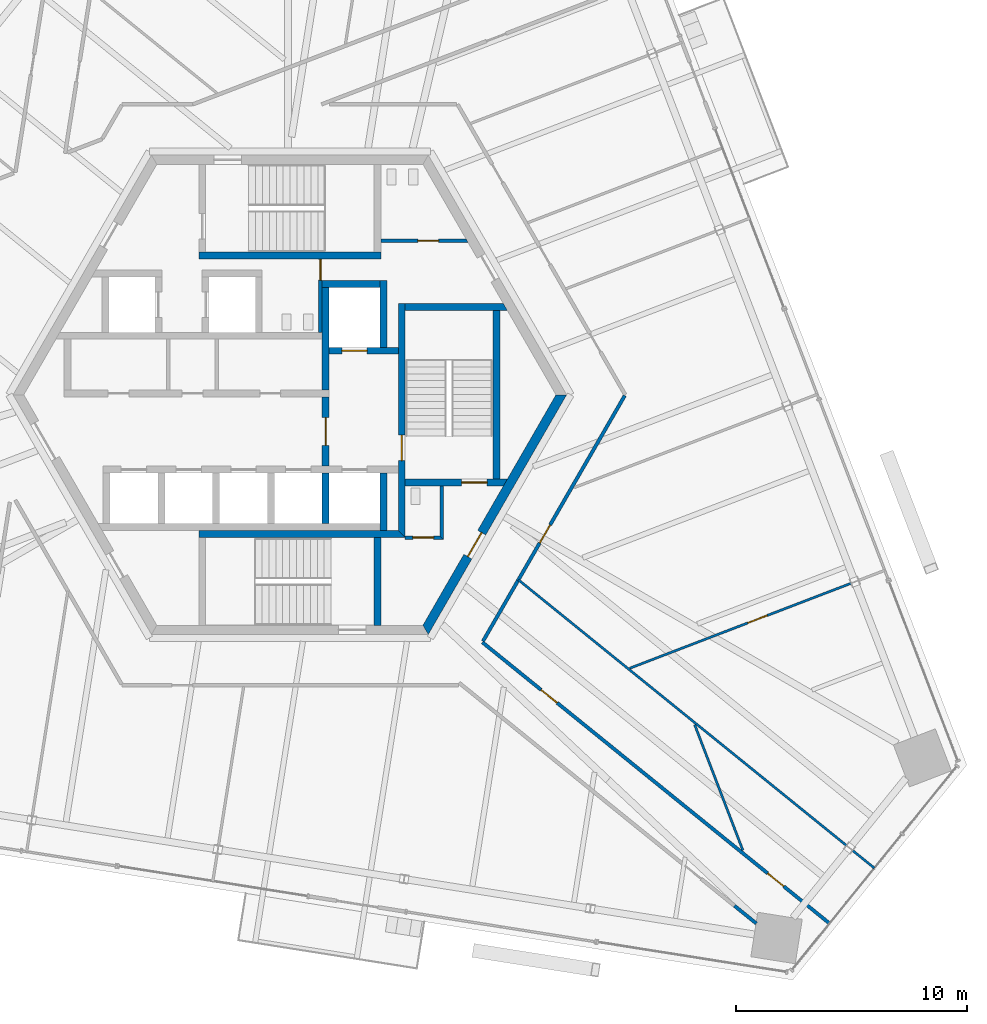
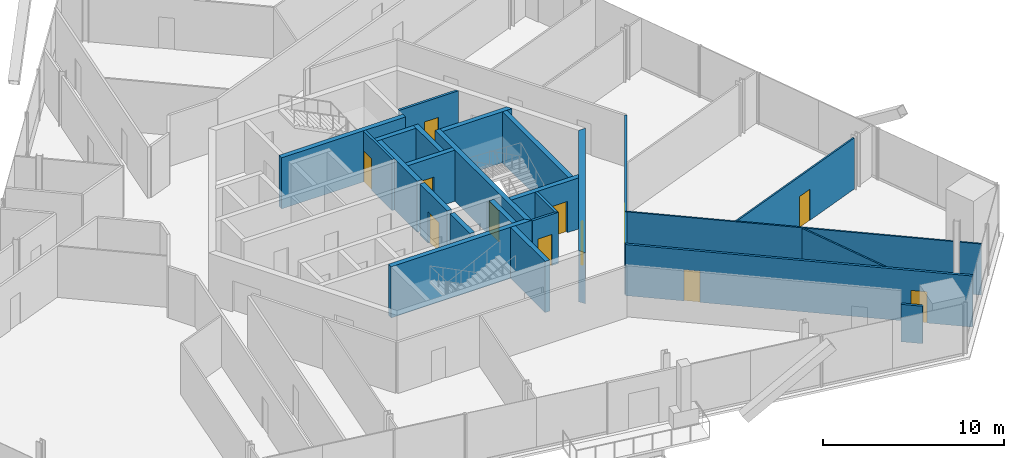
# One storey, part 13 of 19: 26 walls, 12 doors, 12 openings.
"""IFC4 building model written with IfcOpenShell, lengths in metres."""

from ifc_helpers import new_model, si_unit, direction, frame, frame_2d, origin, place, context, subcontext, project, spatial, polyline, rectangle, outline, extrude, source, transform, mapped, material, layer, layer_set, type_object, element, fill, save


model = new_model("IFC4")

# Units and contexts
model_context = context("Model", 3, precision=1e-05, world=origin(), true_north=direction((0.0, 1.0)))
body_context = subcontext(model_context, "Body", "Model", "MODEL_VIEW")
ifc_project = project(units=[si_unit("LENGTHUNIT", "METRE"), si_unit("AREAUNIT", "SQUARE_METRE"), si_unit("VOLUMEUNIT", "CUBIC_METRE"), si_unit("PLANEANGLEUNIT", "RADIAN"), si_unit("MASSUNIT", "GRAM", prefix="KILO")], contexts=[model_context])

# Site, building, storey
site_placement = place(None, origin())
site = spatial("IfcSite", under=ifc_project, at=site_placement, CompositionType="ELEMENT")
building_placement = place(site_placement, origin())
building = spatial("IfcBuilding", under=site, at=building_placement, Name="Triune Harvest Tower", CompositionType="ELEMENT")
storey_placement = place(building_placement, frame((0.0, 0.0, 164.10009765625)))
storey = spatial("IfcBuildingStorey", under=building, at=storey_placement, Name="L42", CompositionType="ELEMENT", Elevation=164.10009765625)

# Wall
ifc_material_1 = material(Name="Gypsum board on steel studs", Category="steel")
ifc_layer_1 = layer(ifc_material_1, 0.14990234375)
ifc_layer_set_1 = layer_set([ifc_layer_1], Name="Gypsum board on steel studs")
wall_type_1 = type_object("IfcWallType", Name="Fire Partition 150 mm", PredefinedType="PARTITIONING", material=ifc_layer_set_1)
wall_1_placement = place(storey_placement, frame((19.277587890625, -22.15673828125, 0.0), z_axis=(0.0, 0.0, 1.0), x_axis=(0.777076635604, -0.629405991709, 0.0)))
element("IfcWall", 1, at=wall_1_placement, inside=storey, type_object=wall_type_1, Name="Partition L42 008a", PredefinedType="PARTITIONING", context=body_context, shape_type="SweptSolid", body=[
    extrude(rectangle(XDim=1.216796875, YDim=0.14990234375, at=frame_2d((0.6083984375, 0.0))), origin(), (0.0, 0.0, 1.0), 2.517822265625),
])

# Wall, opening, door
ifc_material_2 = material(Name="Concrete 70 MPa", Category="concrete")
ifc_layer_2 = layer(ifc_material_2, 0.39990234375)
ifc_layer_set_2 = layer_set([ifc_layer_2], Name="Concrete 70 MPa")
wall_type_2 = type_object("IfcWallType", Name="Core wall 400", PredefinedType="SHEAR", material=ifc_layer_set_2)
shared_shape_1 = source(origin(), body_context, "Body", "SweptSolid", [
    extrude(outline(polyline([(-0.115478515625, -0.199951171875), (11.884521484375, -0.199951171875), (11.653564453125, 0.199951171875), (0.115478515625, 0.199951171875), (-0.115478515625, -0.199951171875)])), origin(), (0.0, 0.0, 1.0), 3.43994140625),
])
wall_2_placement = place(storey_placement, frame((5.884521484375, -10.1923828125, 0.0), z_axis=(0.0, 0.0, 1.0), x_axis=(0.499996592174, 0.866027371285, 0.0)))
wall_2 = element("IfcWall", 2, at=wall_2_placement, inside=storey, type_object=wall_type_2, Name="Hexagon 5 wall", PredefinedType="SHEAR", context=body_context, shape_type="MappedRepresentation", body=[
    mapped(shared_shape_1, transform((0.0, 0.0, 0.0), scale=1.0)),
])
opening_1_placement = place(wall_2_placement, frame((3.66455078125, 0.0, 0.0)))
opening_1 = element("IfcOpeningElement", 3, at=opening_1_placement, cuts=wall_2, Name="Opening CD-DP", PredefinedType="OPENING", context=body_context, shape_type="SweptSolid", body=[
    extrude(rectangle(XDim=1.199951171875, YDim=2.10009765625, at=frame_2d((0.60009765625, 1.050048828125))), frame((0.0, 0.2099609375, 0.0), z_axis=(0.0, -1.0, 0.0), x_axis=(1.0, 0.0, 0.0)), (0.0, 0.0, 1.0), 0.419921875),
])
ifc_material_3 = material(Name="Steel S235", Category="steel")
door_type_1 = type_object("IfcDoorType", Name="Stair door 1200 FD120", OperationType="SINGLE_SWING_LEFT", PredefinedType="DOOR", material=ifc_material_3)
door_1_placement = place(opening_1_placement, frame((1.199951171875, 0.0, 0.0), z_axis=(0.0, 0.0, 1.0), x_axis=(-1.0, 0.0, 0.0)))
door_1 = element("IfcDoor", 4, at=door_1_placement, inside=storey, type_object=door_type_1, Name="Door CD-DP", OperationType="SINGLE_SWING_RIGHT", OverallHeight=2.10009765625, OverallWidth=1.199951171875, PredefinedType="DOOR", context=body_context, shape_type="SweptSolid", body=[
    extrude(rectangle(XDim=1.199951171875, YDim=2.10009765625, at=frame_2d((0.60009765625, 1.050048828125))), frame((0.0, 0.02490234375, 0.0), z_axis=(0.0, -1.0, 0.0), x_axis=(1.0, 0.0, 0.0)), (0.0, 0.0, 1.0), 0.050048828125),
])
fill(opening_1, door_1)

# Walls
ifc_material_4 = material(Name="Concrete 70 MPa", Category="concrete")
ifc_layer_3 = layer(ifc_material_4, 0.300048828125)
ifc_layer_set_3 = layer_set([ifc_layer_3], Name="Concrete 70 MPa")
wall_type_3 = type_object("IfcWallType", Name="Core wall 300", PredefinedType="SHEAR", material=ifc_layer_set_3)
shared_shape_2 = source(origin(), body_context, "Body", "SweptSolid", [
    extrude(rectangle(XDim=2.5, YDim=0.300048828125, at=frame_2d((1.25, 0.0))), origin(), (0.0, 0.0, 1.0), 3.43994140625),
])
for number, where, z_axis, x_axis, name in (
    (5, (1.39990234375, 4.81005859375, 0.0), (0.0, 0.0, 1.0), (1.0, 0.0, 0.0), "Ff1 back wall"),
    (6, (4.050048828125, -5.889892578125, 0.0), (0.0, 0.0, 1.0), (0.0, 1.0, 0.0), "Ff2 east wall"),
):
    element("IfcWall", number, at=place(storey_placement, frame(where, z_axis=z_axis, x_axis=x_axis)), inside=storey, type_object=wall_type_3, Name=name, PredefinedType="SHEAR", context=body_context, shape_type="MappedRepresentation", body=[
        mapped(shared_shape_2, transform((0.0, 0.0, 0.0), scale=1.0)),
    ])
shared_shape_3 = source(origin(), body_context, "Body", "SweptSolid", [
    extrude(rectangle(XDim=4.449951171875, YDim=0.300048828125, at=frame_2d((2.22509765625, 0.0))), origin(), (0.0, 0.0, 1.0), 3.43994140625),
])
wall_3_placement = place(storey_placement, frame((1.550048828125, 0.2099609375, 0.0), z_axis=(0.0, 0.0, 1.0), x_axis=(0.0, 1.0, 0.0)))
element("IfcWall", 7, at=wall_3_placement, inside=storey, type_object=wall_type_3, Name="Ff1 west wall", PredefinedType="SHEAR", context=body_context, shape_type="MappedRepresentation", body=[
    mapped(shared_shape_3, transform((0.0, 0.0, 0.0), scale=1.0)),
])

# Wall, opening, door
shared_shape_4 = source(origin(), body_context, "Body", "SweptSolid", [
    extrude(rectangle(XDim=3.0, YDim=0.300048828125, at=frame_2d((1.5, 0.0))), origin(), (0.0, 0.0, 1.0), 3.43994140625),
])
wall_4_placement = place(storey_placement, frame((1.699951171875, 1.909912109375, 0.0), z_axis=(0.0, 0.0, 1.0), x_axis=(1.0, 0.0, 0.0)))
wall_4 = element("IfcWall", 8, at=wall_4_placement, inside=storey, type_object=wall_type_3, Name="Ff1 front wall", PredefinedType="SHEAR", context=body_context, shape_type="MappedRepresentation", body=[
    mapped(shared_shape_4, transform((0.0, 0.0, 0.0), scale=1.0)),
])
opening_2_placement = place(wall_4_placement, frame((0.550048828125, 0.0, 0.0)))
opening_2 = element("IfcOpeningElement", 9, at=opening_2_placement, cuts=wall_4, Name="Opening LD-FF1-42", PredefinedType="OPENING", context=body_context, shape_type="SweptSolid", body=[
    extrude(rectangle(XDim=1.10009765625, YDim=2.10009765625, at=frame_2d((0.550048828125, 1.050048828125))), frame((0.0, 0.16015625, 0.0), z_axis=(0.0, -1.0, 0.0), x_axis=(1.0, 0.0, 0.0)), (0.0, 0.0, 1.0), 0.320068359375),
])
ifc_material_5 = material(Name="Stainless steel AISI 304", Category="steel")
door_type_2 = type_object("IfcDoorType", Name="Landing door 1100 x 2100", OperationType="DOUBLE_DOOR_SLIDING", PredefinedType="DOOR", material=ifc_material_5)
door_2_placement = place(opening_2_placement, origin())
door_2 = element("IfcDoor", 10, at=door_2_placement, inside=storey, type_object=door_type_2, Name="Door LD-FF1-42", OperationType="DOUBLE_DOOR_SLIDING", OverallHeight=2.10009765625, OverallWidth=1.10009765625, PredefinedType="DOOR", context=body_context, shape_type="SweptSolid", body=[
    extrude(rectangle(XDim=1.10009765625, YDim=2.10009765625, at=frame_2d((0.550048828125, 1.050048828125))), frame((0.0, 0.02490234375, 0.0), z_axis=(0.0, -1.0, 0.0), x_axis=(1.0, 0.0, 0.0)), (0.0, 0.0, 1.0), 0.050048828125),
])
fill(opening_2, door_2)

wall_5_placement = place(storey_placement, frame((1.550048828125, -3.090087890625, 0.0), z_axis=(0.0, 0.0, 1.0), x_axis=(0.0, 1.0, 0.0)))
wall_5 = element("IfcWall", 11, at=wall_5_placement, inside=storey, type_object=wall_type_3, Name="Ff lobby west wall", PredefinedType="SHEAR", context=body_context, shape_type="MappedRepresentation", body=[
    mapped(shared_shape_4, transform((0.0, 0.0, 0.0), scale=1.0)),
])
opening_3_placement = place(wall_5_placement, frame((0.89990234375, 0.0, 0.0)))
opening_3 = element("IfcOpeningElement", 12, at=opening_3_placement, cuts=wall_5, Name="Opening CD-FL", PredefinedType="OPENING", context=body_context, shape_type="SweptSolid", body=[
    extrude(rectangle(XDim=1.199951171875, YDim=2.10009765625, at=frame_2d((0.60009765625, 1.050048828125))), frame((0.0, 0.16015625, 0.0), z_axis=(0.0, -1.0, 0.0), x_axis=(1.0, 0.0, 0.0)), (0.0, 0.0, 1.0), 0.320068359375),
])
ifc_material_6 = material(Name="Steel S235", Category="steel")
door_type_3 = type_object("IfcDoorType", Name="Firefighters' lobby door 1200 FD120", OperationType="SINGLE_SWING_LEFT", PredefinedType="DOOR", material=ifc_material_6)
door_3_placement = place(opening_3_placement, frame((1.199951171875, 0.0, 0.0), z_axis=(0.0, 0.0, 1.0), x_axis=(-1.0, 0.0, 0.0)))
door_3 = element("IfcDoor", 13, at=door_3_placement, inside=storey, type_object=door_type_3, Name="Door CD-FL", OperationType="SINGLE_SWING_RIGHT", OverallHeight=2.10009765625, OverallWidth=1.199951171875, PredefinedType="DOOR", context=body_context, shape_type="SweptSolid", body=[
    extrude(rectangle(XDim=1.199951171875, YDim=2.10009765625, at=frame_2d((0.60009765625, 1.050048828125))), frame((0.0, 0.02490234375, 0.0), z_axis=(0.0, -1.0, 0.0), x_axis=(1.0, 0.0, 0.0)), (0.0, 0.0, 1.0), 0.050048828125),
])
fill(opening_3, door_3)

# Walls
shared_shape_5 = source(origin(), body_context, "Body", "SweptSolid", [
    extrude(rectangle(XDim=2.89990234375, YDim=0.300048828125, at=frame_2d((1.449951171875, 0.0))), origin(), (0.0, 0.0, 1.0), 3.43994140625),
])
wall_6_placement = place(storey_placement, frame((4.050048828125, 2.06005859375, 0.0), z_axis=(0.0, 0.0, 1.0), x_axis=(0.0, 1.0, 0.0)))
element("IfcWall", 14, at=wall_6_placement, inside=storey, type_object=wall_type_3, Name="Ff1 east wall", PredefinedType="SHEAR", context=body_context, shape_type="MappedRepresentation", body=[
    mapped(shared_shape_5, transform((0.0, 0.0, 0.0), scale=1.0)),
])
shared_shape_6 = source(origin(), body_context, "Body", "SweptSolid", [
    extrude(rectangle(XDim=2.2001953125, YDim=0.300048828125, at=frame_2d((1.10009765625, 0.0))), origin(), (0.0, 0.0, 1.0), 3.43994140625),
])
wall_7_placement = place(storey_placement, frame((1.550048828125, -5.590087890625, 0.0), z_axis=(0.0, 0.0, 1.0), x_axis=(0.0, 1.0, 0.0)))
element("IfcWall", 15, at=wall_7_placement, inside=storey, type_object=wall_type_3, Name="Ff2 west wall", PredefinedType="SHEAR", context=body_context, shape_type="MappedRepresentation", body=[
    mapped(shared_shape_6, transform((0.0, 0.0, 0.0), scale=1.0)),
])

# Wall, opening, door
shared_shape_7 = source(origin(), body_context, "Body", "SweptSolid", [
    extrude(outline(polyline([(-0.14990234375, -0.14990234375), (9.989990234375, -0.14990234375), (9.989990234375, 0.14990234375), (0.14990234375, 0.14990234375), (-0.14990234375, -0.14990234375)])), origin(), (0.0, 0.0, 1.0), 3.43994140625),
])
wall_8_placement = place(storey_placement, frame((4.85009765625, -6.0400390625, 0.0), z_axis=(0.0, 0.0, 1.0), x_axis=(0.0, 1.0, 0.0)))
wall_8 = element("IfcWall", 16, at=wall_8_placement, inside=storey, type_object=wall_type_3, Name="Stair e west wall", PredefinedType="SHEAR", context=body_context, shape_type="MappedRepresentation", body=[
    mapped(shared_shape_7, transform((0.0, 0.0, 0.0), scale=1.0)),
])
opening_4_placement = place(wall_8_placement, frame((3.18994140625, 0.0, 0.0)))
opening_4 = element("IfcOpeningElement", 17, at=opening_4_placement, cuts=wall_8, Name="Opening CD-S3L", PredefinedType="OPENING", context=body_context, shape_type="SweptSolid", body=[
    extrude(rectangle(XDim=1.10009765625, YDim=2.10009765625, at=frame_2d((0.550048828125, 1.050048828125))), frame((0.0, 0.16015625, 0.0), z_axis=(0.0, -1.0, 0.0), x_axis=(1.0, 0.0, 0.0)), (0.0, 0.0, 1.0), 0.320068359375),
])
ifc_material_7 = material(Name="Steel S235", Category="steel")
door_type_4 = type_object("IfcDoorType", Name="Stair door 1100 FD120", OperationType="SINGLE_SWING_LEFT", PredefinedType="DOOR", material=ifc_material_7)
door_4_placement = place(opening_4_placement, frame((1.10009765625, 0.0, 0.0), z_axis=(0.0, 0.0, 1.0), x_axis=(-1.0, 0.0, 0.0)))
door_4 = element("IfcDoor", 18, at=door_4_placement, inside=storey, type_object=door_type_4, Name="Door CD-S3L", OperationType="SINGLE_SWING_RIGHT", OverallHeight=2.10009765625, OverallWidth=1.10009765625, PredefinedType="DOOR", context=body_context, shape_type="SweptSolid", body=[
    extrude(rectangle(XDim=1.10009765625, YDim=2.10009765625, at=frame_2d((0.550048828125, 1.050048828125))), frame((0.0, 0.02490234375, 0.0), z_axis=(0.0, -1.0, 0.0), x_axis=(1.0, 0.0, 0.0)), (0.0, 0.0, 1.0), 0.050048828125),
])
fill(opening_4, door_4)

# Wall
shared_shape_8 = source(origin(), body_context, "Body", "SweptSolid", [
    extrude(outline(polyline([(0.0, -0.14990234375), (0.0, 0.14990234375), (4.260009765625, 0.14990234375), (4.43310546875, -0.14990234375), (0.0, -0.14990234375)])), origin(), (0.0, 0.0, 1.0), 3.43994140625),
])
wall_9_placement = place(storey_placement, frame((5.0, 3.800048828125, 0.0), z_axis=(0.0, 0.0, 1.0), x_axis=(1.0, 0.0, 0.0)))
element("IfcWall", 19, at=wall_9_placement, inside=storey, type_object=wall_type_3, Name="Stair e north wall", PredefinedType="SHEAR", context=body_context, shape_type="MappedRepresentation", body=[
    mapped(shared_shape_8, transform((0.0, 0.0, 0.0), scale=1.0)),
])

# Wall, opening, door
shared_shape_9 = source(origin(), body_context, "Body", "SweptSolid", [
    extrude(outline(polyline([(0.0, -0.14990234375), (0.0, 0.14990234375), (4.43310546875, 0.14990234375), (4.260009765625, -0.14990234375), (0.0, -0.14990234375)])), origin(), (0.0, 0.0, 1.0), 3.43994140625),
])
wall_10_placement = place(storey_placement, frame((5.0, -3.800048828125, 0.0), z_axis=(0.0, 0.0, 1.0), x_axis=(1.0, 0.0, 0.0)))
wall_10 = element("IfcWall", 20, at=wall_10_placement, inside=storey, type_object=wall_type_3, Name="Stair e south wall", PredefinedType="SHEAR", context=body_context, shape_type="MappedRepresentation", body=[
    mapped(shared_shape_9, transform((0.0, 0.0, 0.0), scale=1.0)),
])
opening_5_placement = place(wall_10_placement, frame((2.449951171875, 0.0, 0.0)))
opening_5 = element("IfcOpeningElement", 21, at=opening_5_placement, cuts=wall_10, Name="Opening CD-S3D", PredefinedType="OPENING", context=body_context, shape_type="SweptSolid", body=[
    extrude(rectangle(XDim=1.10009765625, YDim=2.10009765625, at=frame_2d((0.550048828125, 1.050048828125))), frame((0.0, 0.16015625, 0.0), z_axis=(0.0, -1.0, 0.0), x_axis=(1.0, 0.0, 0.0)), (0.0, 0.0, 1.0), 0.320068359375),
])
door_5_placement = place(opening_5_placement, frame((1.10009765625, 0.0, 0.0), z_axis=(0.0, 0.0, 1.0), x_axis=(-1.0, 0.0, 0.0)))
door_5 = element("IfcDoor", 22, at=door_5_placement, inside=storey, type_object=door_type_4, Name="Door CD-S3D", OperationType="SINGLE_SWING_RIGHT", OverallHeight=2.10009765625, OverallWidth=1.10009765625, PredefinedType="DOOR", context=body_context, shape_type="SweptSolid", body=[
    extrude(rectangle(XDim=1.10009765625, YDim=2.10009765625, at=frame_2d((0.550048828125, 1.050048828125))), frame((0.0, 0.02490234375, 0.0), z_axis=(0.0, -1.0, 0.0), x_axis=(1.0, 0.0, 0.0)), (0.0, 0.0, 1.0), 0.050048828125),
])
fill(opening_5, door_5)

# Walls
shared_shape_10 = source(origin(), body_context, "Body", "SweptSolid", [
    extrude(rectangle(XDim=7.2998046875, YDim=0.300048828125, at=frame_2d((3.64990234375, 0.0))), origin(), (0.0, 0.0, 1.0), 3.43994140625),
])
wall_11_placement = place(storey_placement, frame((8.949951171875, -3.64990234375, 0.0), z_axis=(0.0, 0.0, 1.0), x_axis=(0.0, 1.0, 0.0)))
element("IfcWall", 23, at=wall_11_placement, inside=storey, type_object=wall_type_3, Name="Stair e east wall", PredefinedType="SHEAR", context=body_context, shape_type="MappedRepresentation", body=[
    mapped(shared_shape_10, transform((0.0, 0.0, 0.0), scale=1.0)),
])
shared_shape_11 = source(origin(), body_context, "Body", "SweptSolid", [
    extrude(rectangle(XDim=7.89990234375, YDim=0.300048828125, at=frame_2d((3.949951171875, 0.0))), origin(), (0.0, 0.0, 1.0), 3.43994140625),
])
wall_12_placement = place(storey_placement, frame((-3.949951171875, 6.0400390625, 0.0), z_axis=(0.0, 0.0, 1.0), x_axis=(1.0, 0.0, 0.0)))
element("IfcWall", 24, at=wall_12_placement, inside=storey, type_object=wall_type_3, Name="Stair n south wall", PredefinedType="SHEAR", context=body_context, shape_type="MappedRepresentation", body=[
    mapped(shared_shape_11, transform((0.0, 0.0, 0.0), scale=1.0)),
])
shared_shape_12 = source(origin(), body_context, "Body", "SweptSolid", [
    extrude(outline(polyline([(0.0, -0.14990234375), (8.949951171875, -0.14990234375), (8.64990234375, 0.14990234375), (0.0, 0.14990234375), (0.0, -0.14990234375)])), origin(), (0.0, 0.0, 1.0), 3.43994140625),
])
wall_13_placement = place(storey_placement, frame((-3.949951171875, -6.0400390625, 0.0), z_axis=(0.0, 0.0, 1.0), x_axis=(1.0, 0.0, 0.0)))
element("IfcWall", 25, at=wall_13_placement, inside=storey, type_object=wall_type_3, Name="Stair s north wall", PredefinedType="SHEAR", context=body_context, shape_type="MappedRepresentation", body=[
    mapped(shared_shape_12, transform((0.0, 0.0, 0.0), scale=1.0)),
])
shared_shape_13 = source(origin(), body_context, "Body", "SweptSolid", [
    extrude(outline(polyline([(3.800048828125, -0.14990234375), (-0.00439453125, -0.14990234375), (-0.00439453125, 0.14990234375), (3.800048828125, 0.14990234375), (3.800048828125, -0.14990234375)])), origin(), (0.0, 0.0, 1.0), 3.43994140625),
])
wall_14_placement = place(storey_placement, frame((3.800048828125, -9.989990234375, 0.0), z_axis=(0.0, 0.0, 1.0), x_axis=(0.0, 1.0, 0.0)))
element("IfcWall", 26, at=wall_14_placement, inside=storey, type_object=wall_type_3, Name="Stair s east wall", PredefinedType="SHEAR", context=body_context, shape_type="MappedRepresentation", body=[
    mapped(shared_shape_13, transform((0.0, 0.0, 0.0), scale=1.0)),
])

# Wall, opening, door
ifc_material_8 = material(Name="Concrete masonry unit", Category="masonry")
ifc_layer_4 = layer(ifc_material_8, 0.14990234375)
ifc_layer_set_4 = layer_set([ifc_layer_4], Name="Concrete masonry unit")
wall_type_4 = type_object("IfcWallType", Name="Block partition 150 unrated", PredefinedType="PARTITIONING", material=ifc_layer_set_4)
shared_shape_14 = source(origin(), body_context, "Body", "SweptSolid", [
    extrude(rectangle(XDim=3.179931640625, YDim=0.14990234375, at=frame_2d((1.58984375, 0.0))), origin(), (0.0, 0.0, 1.0), 3.43994140625),
])
wall_15_placement = place(storey_placement, frame((1.324951171875, 2.7099609375, 0.0), z_axis=(0.0, 0.0, 1.0), x_axis=(0.0, 1.0, 0.0)))
wall_15 = element("IfcWall", 27, at=wall_15_placement, inside=storey, type_object=wall_type_4, Name="Wc men east wall", PredefinedType="PARTITIONING", context=body_context, shape_type="MappedRepresentation", body=[
    mapped(shared_shape_14, transform((0.0, 0.0, 0.0), scale=1.0)),
])
opening_6_placement = place(wall_15_placement, frame((2.264892578125, 0.0, 0.0)))
opening_6 = element("IfcOpeningElement", 28, at=opening_6_placement, cuts=wall_15, Name="Opening CD-WM", PredefinedType="OPENING", context=body_context, shape_type="SweptSolid", body=[
    extrude(rectangle(XDim=0.89990234375, YDim=2.10009765625, at=frame_2d((0.449951171875, 1.050048828125))), frame((0.0, 0.0849609375, 0.0), z_axis=(0.0, -1.0, 0.0), x_axis=(1.0, 0.0, 0.0)), (0.0, 0.0, 1.0), 0.169921875),
])
ifc_material_9 = material(Name="Timber C24", Category="wood")
door_type_5 = type_object("IfcDoorType", Name="WC door 900", OperationType="SINGLE_SWING_LEFT", PredefinedType="DOOR", material=ifc_material_9)
door_6_placement = place(opening_6_placement, origin())
door_6 = element("IfcDoor", 29, at=door_6_placement, inside=storey, type_object=door_type_5, Name="Door CD-WM", OperationType="SINGLE_SWING_LEFT", OverallHeight=2.10009765625, OverallWidth=0.89990234375, PredefinedType="DOOR", context=body_context, shape_type="SweptSolid", body=[
    extrude(rectangle(XDim=0.89990234375, YDim=2.10009765625, at=frame_2d((0.449951171875, 1.050048828125))), frame((0.0, 0.02490234375, 0.0), z_axis=(0.0, -1.0, 0.0), x_axis=(1.0, 0.0, 0.0)), (0.0, 0.0, 1.0), 0.050048828125),
])
fill(opening_6, door_6)

shared_shape_15 = source(origin(), body_context, "Body", "SweptSolid", [
    extrude(outline(polyline([(0.0, -0.074951171875), (0.0, 0.074951171875), (3.693359375, 0.074951171875), (3.77978515625, -0.074951171875), (0.0, -0.074951171875)])), origin(), (0.0, 0.0, 1.0), 3.43994140625),
])
wall_16_placement = place(storey_placement, frame((3.949951171875, 6.675048828125, 0.0), z_axis=(0.0, 0.0, 1.0), x_axis=(1.0, 0.0, 0.0)))
wall_16 = element("IfcWall", 30, at=wall_16_placement, inside=storey, type_object=wall_type_4, Name="Wc women south wall", PredefinedType="PARTITIONING", context=body_context, shape_type="MappedRepresentation", body=[
    mapped(shared_shape_15, transform((0.0, 0.0, 0.0), scale=1.0)),
])
opening_7_placement = place(wall_16_placement, frame((1.60009765625, 0.0, 0.0)))
opening_7 = element("IfcOpeningElement", 31, at=opening_7_placement, cuts=wall_16, Name="Opening CD-WW", PredefinedType="OPENING", context=body_context, shape_type="SweptSolid", body=[
    extrude(rectangle(XDim=0.89990234375, YDim=2.10009765625, at=frame_2d((0.449951171875, 1.050048828125))), frame((0.0, 0.0849609375, 0.0), z_axis=(0.0, -1.0, 0.0), x_axis=(1.0, 0.0, 0.0)), (0.0, 0.0, 1.0), 0.169921875),
])
door_7_placement = place(opening_7_placement, origin())
door_7 = element("IfcDoor", 32, at=door_7_placement, inside=storey, type_object=door_type_5, Name="Door CD-WW", OperationType="SINGLE_SWING_LEFT", OverallHeight=2.10009765625, OverallWidth=0.89990234375, PredefinedType="DOOR", context=body_context, shape_type="SweptSolid", body=[
    extrude(rectangle(XDim=0.89990234375, YDim=2.10009765625, at=frame_2d((0.449951171875, 1.050048828125))), frame((0.0, 0.02490234375, 0.0), z_axis=(0.0, -1.0, 0.0), x_axis=(1.0, 0.0, 0.0)), (0.0, 0.0, 1.0), 0.050048828125),
])
fill(opening_7, door_7)

shared_shape_16 = source(origin(), body_context, "Body", "SweptSolid", [
    extrude(outline(polyline([(0.0, -0.074951171875), (1.64990234375, -0.074951171875), (1.5, 0.074951171875), (0.0, 0.074951171875), (0.0, -0.074951171875)])), origin(), (0.0, 0.0, 1.0), 3.43994140625),
])
wall_17_placement = place(storey_placement, frame((5.0, -6.18994140625, 0.0), z_axis=(0.0, 0.0, 1.0), x_axis=(1.0, 0.0, 0.0)))
wall_17 = element("IfcWall", 33, at=wall_17_placement, inside=storey, type_object=wall_type_4, Name="Wc acc south wall", PredefinedType="PARTITIONING", context=body_context, shape_type="MappedRepresentation", body=[
    mapped(shared_shape_16, transform((0.0, 0.0, 0.0), scale=1.0)),
])
opening_8_placement = place(wall_17_placement, frame((0.33740234375, 0.0, 0.0)))
opening_8 = element("IfcOpeningElement", 34, at=opening_8_placement, cuts=wall_17, Name="Opening CD-WA", PredefinedType="OPENING", context=body_context, shape_type="SweptSolid", body=[
    extrude(rectangle(XDim=0.89990234375, YDim=2.10009765625, at=frame_2d((0.449951171875, 1.050048828125))), frame((0.0, 0.0849609375, 0.0), z_axis=(0.0, -1.0, 0.0), x_axis=(1.0, 0.0, 0.0)), (0.0, 0.0, 1.0), 0.169921875),
])
door_8_placement = place(opening_8_placement, origin())
door_8 = element("IfcDoor", 35, at=door_8_placement, inside=storey, type_object=door_type_5, Name="Door CD-WA", OperationType="SINGLE_SWING_LEFT", OverallHeight=2.10009765625, OverallWidth=0.89990234375, PredefinedType="DOOR", context=body_context, shape_type="SweptSolid", body=[
    extrude(rectangle(XDim=0.89990234375, YDim=2.10009765625, at=frame_2d((0.449951171875, 1.050048828125))), frame((0.0, 0.02490234375, 0.0), z_axis=(0.0, -1.0, 0.0), x_axis=(1.0, 0.0, 0.0)), (0.0, 0.0, 1.0), 0.050048828125),
])
fill(opening_8, door_8)

# Walls
shared_shape_17 = source(origin(), body_context, "Body", "SweptSolid", [
    extrude(outline(polyline([(-0.074951171875, -0.074951171875), (2.239990234375, -0.074951171875), (2.239990234375, 0.074951171875), (0.074951171875, 0.074951171875), (-0.074951171875, -0.074951171875)])), origin(), (0.0, 0.0, 1.0), 3.43994140625),
])
wall_18_placement = place(storey_placement, frame((6.574951171875, -6.18994140625, 0.0), z_axis=(0.0, 0.0, 1.0), x_axis=(0.0, 1.0, 0.0)))
element("IfcWall", 36, at=wall_18_placement, inside=storey, type_object=wall_type_4, Name="Wc acc east wall", PredefinedType="PARTITIONING", context=body_context, shape_type="MappedRepresentation", body=[
    mapped(shared_shape_17, transform((0.0, 0.0, 0.0), scale=1.0)),
])
ifc_material_10 = material(Name="Gypsum board on steel studs", Category="steel")
ifc_layer_5 = layer(ifc_material_10, 0.10009765625)
ifc_layer_set_5 = layer_set([ifc_layer_5], Name="Gypsum board on steel studs")
wall_type_5 = type_object("IfcWallType", Name="Partition 100 mm", PredefinedType="PARTITIONING", material=ifc_layer_set_5)
shared_shape_18 = source(origin(), body_context, "Body", "SweptSolid", [
    extrude(rectangle(XDim=1.2119140625, YDim=0.10009765625, at=frame_2d((0.60595703125, 0.0))), origin(), (0.0, 0.0, 1.0), 3.43994140625),
])
wall_19_placement = place(storey_placement, frame((24.39990234375, -19.7587890625, 0.0), z_axis=(0.0, 0.0, 1.0), x_axis=(0.777160423943, -0.629302530948, 0.0)))
element("IfcWall", 37, at=wall_19_placement, inside=storey, type_object=wall_type_5, Name="Partition L42 014", PredefinedType="PARTITIONING", context=body_context, shape_type="MappedRepresentation", body=[
    mapped(shared_shape_18, transform((0.0, 0.0, 0.0), scale=1.0)),
])
shared_shape_19 = source(origin(), body_context, "Body", "SweptSolid", [
    extrude(rectangle(XDim=5.835205078125, YDim=0.10009765625, at=frame_2d((2.91748046875, 0.0))), origin(), (0.0, 0.0, 1.0), 3.43994140625),
])
wall_20_placement = place(storey_placement, frame((17.548828125, -14.30078125, 0.0), z_axis=(0.0, 0.0, 1.0), x_axis=(0.358348182367, -0.933588014166, 0.0)))
element("IfcWall", 38, at=wall_20_placement, inside=storey, type_object=wall_type_5, Name="Partition L42 001", PredefinedType="PARTITIONING", context=body_context, shape_type="MappedRepresentation", body=[
    mapped(shared_shape_19, transform((0.0, 0.0, 0.0), scale=1.0)),
])

# Wall, openings, doors
shared_shape_20 = source(origin(), body_context, "Body", "SweptSolid", [
    extrude(rectangle(XDim=19.370361328125, YDim=0.14990234375, at=frame_2d((9.68505859375, 0.0))), origin(), (0.0, 0.0, 1.0), 3.43994140625),
])
wall_21_placement = place(storey_placement, frame((8.344970703125, -10.730712890625, 0.0), z_axis=(0.0, 0.0, 1.0), x_axis=(0.777147708914, -0.629318233114, 0.0)))
wall_21 = element("IfcWall", 39, at=wall_21_placement, inside=storey, type_object=wall_type_1, Name="Partition L42 010", PredefinedType="PARTITIONING", context=body_context, shape_type="MappedRepresentation", body=[
    mapped(shared_shape_20, transform((0.0, 0.0, 0.0), scale=1.0)),
])
opening_9_placement = place(wall_21_placement, frame((3.273681640625, 0.0, 0.0)))
opening_9 = element("IfcOpeningElement", 40, at=opening_9_placement, cuts=wall_21, Name="Opening L42-019", PredefinedType="OPENING", context=body_context, shape_type="SweptSolid", body=[
    extrude(rectangle(XDim=0.89990234375, YDim=2.10009765625, at=frame_2d((0.449951171875, 1.050048828125))), frame((0.0, 0.0849609375, 0.0), z_axis=(0.0, -1.0, 0.0), x_axis=(1.0, 0.0, 0.0)), (0.0, 0.0, 1.0), 0.169921875),
])
opening_10_placement = place(wall_21_placement, frame((15.920654296875, 0.0, 0.0)))
opening_10 = element("IfcOpeningElement", 41, at=opening_10_placement, cuts=wall_21, Name="Opening L42-020", PredefinedType="OPENING", context=body_context, shape_type="SweptSolid", body=[
    extrude(rectangle(XDim=0.89990234375, YDim=2.10009765625, at=frame_2d((0.449951171875, 1.050048828125))), frame((0.0, 0.0849609375, 0.0), z_axis=(0.0, -1.0, 0.0), x_axis=(1.0, 0.0, 0.0)), (0.0, 0.0, 1.0), 0.169921875),
])
ifc_material_11 = material(Name="Timber and steel door set", Category="steel")
door_type_6 = type_object("IfcDoorType", Name="Single leaf door FD30 left hand 900 x 2100", OperationType="SINGLE_SWING_LEFT", PredefinedType="DOOR", material=ifc_material_11)
door_9_placement = place(opening_9_placement, origin())
door_9 = element("IfcDoor", 42, at=door_9_placement, inside=storey, type_object=door_type_6, Name="Door L42-019 Dry Store Room 42.19", OperationType="SINGLE_SWING_LEFT", OverallHeight=2.10009765625, OverallWidth=0.89990234375, PredefinedType="DOOR", context=body_context, shape_type="SweptSolid", body=[
    extrude(rectangle(XDim=0.89990234375, YDim=2.10009765625, at=frame_2d((0.449951171875, 1.050048828125))), frame((0.0, 0.02490234375, 0.0), z_axis=(0.0, -1.0, 0.0), x_axis=(1.0, 0.0, 0.0)), (0.0, 0.0, 1.0), 0.050048828125),
])
fill(opening_9, door_9)
ifc_material_12 = material(Name="Timber and steel door set", Category="steel")
door_type_7 = type_object("IfcDoorType", Name="Single leaf door FD30 right hand 900 x 2100", OperationType="SINGLE_SWING_RIGHT", PredefinedType="DOOR", material=ifc_material_12)
door_10_placement = place(opening_10_placement, origin())
door_10 = element("IfcDoor", 43, at=door_10_placement, inside=storey, type_object=door_type_7, Name="Door L42-020 Meeting Room 42.20", OperationType="SINGLE_SWING_RIGHT", OverallHeight=2.10009765625, OverallWidth=0.89990234375, PredefinedType="DOOR", context=body_context, shape_type="SweptSolid", body=[
    extrude(rectangle(XDim=0.89990234375, YDim=2.10009765625, at=frame_2d((0.449951171875, 1.050048828125))), frame((0.0, 0.02490234375, 0.0), z_axis=(0.0, -1.0, 0.0), x_axis=(1.0, 0.0, 0.0)), (0.0, 0.0, 1.0), 0.050048828125),
])
fill(opening_10, door_10)

# Wall
shared_shape_21 = source(origin(), body_context, "Body", "SweptSolid", [
    extrude(rectangle(XDim=18.29443359375, YDim=0.10009765625, at=frame_2d((9.147216796875, 0.0))), origin(), (0.0, 0.0, 1.0), 3.43994140625),
])
wall_22_placement = place(storey_placement, frame((9.907958984375, -8.0234375, 0.0), z_axis=(0.0, 0.0, 1.0), x_axis=(0.777151007725, -0.629314159377, 0.0)))
element("IfcWall", 44, at=wall_22_placement, inside=storey, type_object=wall_type_5, Name="Partition L42 013", PredefinedType="PARTITIONING", context=body_context, shape_type="MappedRepresentation", body=[
    mapped(shared_shape_21, transform((0.0, 0.0, 0.0), scale=1.0)),
])

# Wall, opening, door
shared_shape_22 = source(origin(), body_context, "Body", "SweptSolid", [
    extrude(rectangle(XDim=10.275634765625, YDim=0.10009765625, at=frame_2d((5.1376953125, 0.0))), origin(), (0.0, 0.0, 1.0), 3.43994140625),
])
wall_23_placement = place(storey_placement, frame((14.7373046875, -11.856201171875, 0.0), z_axis=(0.0, 0.0, 1.0), x_axis=(0.933573824893, 0.358385146838, 0.0)))
wall_23 = element("IfcWall", 45, at=wall_23_placement, inside=storey, type_object=wall_type_5, Name="Partition L42 021", PredefinedType="PARTITIONING", context=body_context, shape_type="MappedRepresentation", body=[
    mapped(shared_shape_22, transform((0.0, 0.0, 0.0), scale=1.0)),
])
opening_11_placement = place(wall_23_placement, frame((5.47998046875, 0.0, 0.0)))
opening_11 = element("IfcOpeningElement", 46, at=opening_11_placement, cuts=wall_23, Name="Opening L42-021", PredefinedType="OPENING", context=body_context, shape_type="SweptSolid", body=[
    extrude(rectangle(XDim=0.89990234375, YDim=2.10009765625, at=frame_2d((0.449951171875, 1.050048828125))), frame((0.0, 0.06005859375, 0.0), z_axis=(0.0, -1.0, 0.0), x_axis=(1.0, 0.0, 0.0)), (0.0, 0.0, 1.0), 0.1201171875),
])
ifc_material_13 = material(Name="Timber and steel door set", Category="steel")
door_type_8 = type_object("IfcDoorType", Name="Single leaf door left hand 900 x 2100", OperationType="SINGLE_SWING_LEFT", PredefinedType="DOOR", material=ifc_material_13)
door_11_placement = place(opening_11_placement, origin())
door_11 = element("IfcDoor", 47, at=door_11_placement, inside=storey, type_object=door_type_8, Name="Door L42-021 Pantry 42.21", OperationType="SINGLE_SWING_LEFT", OverallHeight=2.10009765625, OverallWidth=0.89990234375, PredefinedType="DOOR", context=body_context, shape_type="SweptSolid", body=[
    extrude(rectangle(XDim=0.89990234375, YDim=2.10009765625, at=frame_2d((0.449951171875, 1.050048828125))), frame((0.0, 0.02490234375, 0.0), z_axis=(0.0, -1.0, 0.0), x_axis=(1.0, 0.0, 0.0)), (0.0, 0.0, 1.0), 0.050048828125),
])
fill(opening_11, door_11)

shared_shape_23 = source(origin(), body_context, "Body", "SweptSolid", [
    extrude(rectangle(XDim=12.300537109375, YDim=0.14990234375, at=frame_2d((6.150390625, 0.0))), origin(), (0.0, 0.0, 1.0), 3.43994140625),
])
wall_24_placement = place(storey_placement, frame((8.3701171875, -10.687255859375, 0.0), z_axis=(0.0, 0.0, 1.0), x_axis=(0.499992195297, 0.866029909785, 0.0)))
wall_24 = element("IfcWall", 48, at=wall_24_placement, inside=storey, type_object=wall_type_1, Name="Partition L42 040", PredefinedType="PARTITIONING", context=body_context, shape_type="MappedRepresentation", body=[
    mapped(shared_shape_23, transform((0.0, 0.0, 0.0), scale=1.0)),
])
opening_12_placement = place(wall_24_placement, frame((4.926025390625, 0.0, 0.0)))
opening_12 = element("IfcOpeningElement", 49, at=opening_12_placement, cuts=wall_24, Name="Opening L42-001", PredefinedType="OPENING", context=body_context, shape_type="SweptSolid", body=[
    extrude(rectangle(XDim=0.89990234375, YDim=2.10009765625, at=frame_2d((0.449951171875, 1.050048828125))), frame((0.0, 0.0849609375, 0.0), z_axis=(0.0, -1.0, 0.0), x_axis=(1.0, 0.0, 0.0)), (0.0, 0.0, 1.0), 0.169921875),
])
door_12_placement = place(opening_12_placement, origin())
door_12 = element("IfcDoor", 50, at=door_12_placement, inside=storey, type_object=door_type_7, Name="Door L42-001 Office 42.01", OperationType="SINGLE_SWING_RIGHT", OverallHeight=2.10009765625, OverallWidth=0.89990234375, PredefinedType="DOOR", context=body_context, shape_type="SweptSolid", body=[
    extrude(rectangle(XDim=0.89990234375, YDim=2.10009765625, at=frame_2d((0.449951171875, 1.050048828125))), frame((0.0, 0.02490234375, 0.0), z_axis=(0.0, -1.0, 0.0), x_axis=(1.0, 0.0, 0.0)), (0.0, 0.0, 1.0), 0.050048828125),
])
fill(opening_12, door_12)

save(model, "model.ifc")
